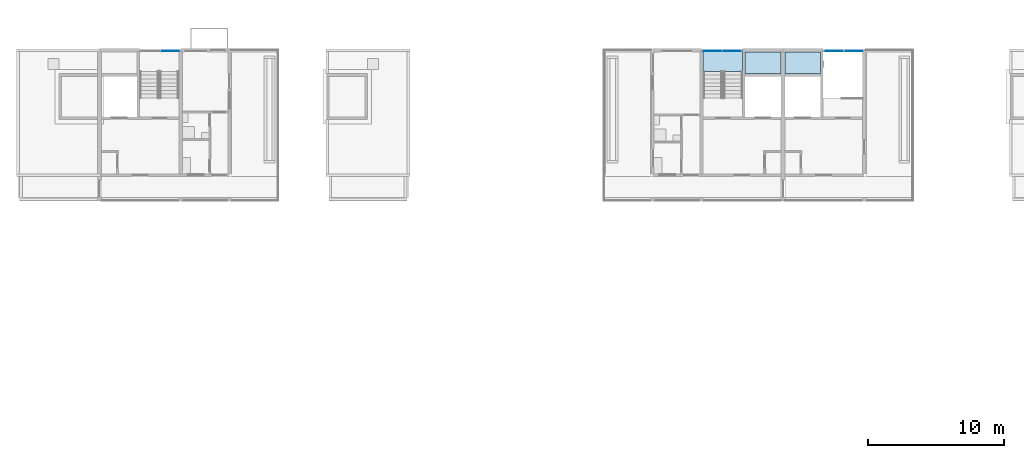
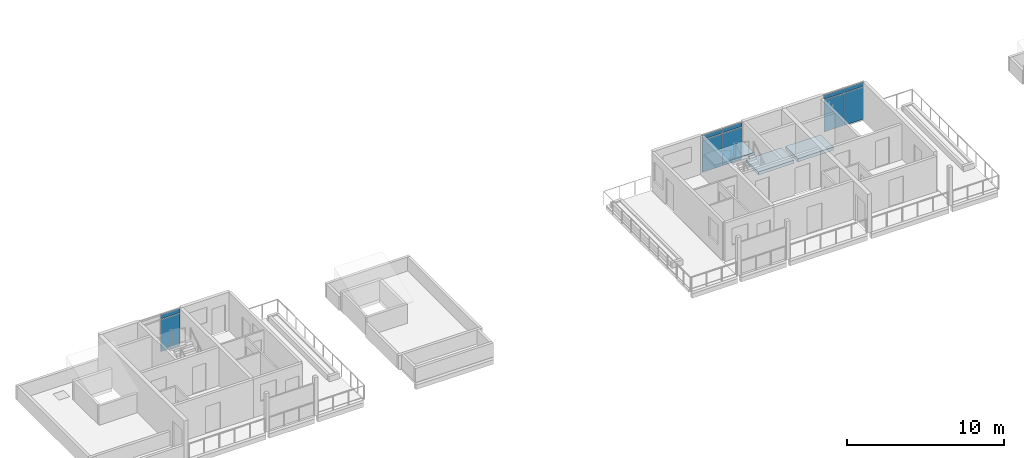
# One storey, part 32 of 87: 10 plates, 3 slabs, 4 elements without a shape of their own.
"""IFC4 building model written with IfcOpenShell, lengths in metres."""

from ifc_helpers import new_model, si_unit, direction, frame, origin, origin_2d, place, context, subcontext, project, spatial, polyline, rectangle, outline, extrude, material, layer, layer_set, type_object, element, aggregate, save


model = new_model("IFC4")

# Units and contexts
model_context = context("Model", 3, precision=1e-05, world=origin(), true_north=direction((0.0, 1.0)))
body_context = subcontext(model_context, "Body", "Model", "MODEL_VIEW")
ifc_project = project(units=[si_unit("LENGTHUNIT", "METRE"), si_unit("AREAUNIT", "SQUARE_METRE"), si_unit("VOLUMEUNIT", "CUBIC_METRE"), si_unit("PLANEANGLEUNIT", "RADIAN"), si_unit("MASSUNIT", "GRAM", prefix="KILO")], contexts=[model_context])

# Site, building, storey
site_placement = place(None, origin())
site = spatial("IfcSite", under=ifc_project, at=site_placement, CompositionType="ELEMENT")
building_placement = place(site_placement, origin())
building = spatial("IfcBuilding", under=site, at=building_placement, Name="Ridgestep Commons", CompositionType="ELEMENT")
storey_placement = place(building_placement, frame((0.0, 0.0, 27.0)))
storey = spatial("IfcBuildingStorey", under=building, at=storey_placement, Name="L09", CompositionType="ELEMENT", Elevation=27.0)

# Curtain wall, plate
ifc_material_1 = material(Name="Aluminium 6063-T6 and glass", Category="aluminium")
curtain_wall_type = type_object("IfcCurtainWallType", Name="Curtain wall stair strip", PredefinedType="NOTDEFINED", material=ifc_material_1)
curtain_wall_1_placement = place(storey_placement, origin())
curtain_wall_1 = element("IfcCurtainWall", 1, at=curtain_wall_1_placement, inside=storey, type_object=curtain_wall_type, Name="Curtain wall B2C level 09", PredefinedType="NOTDEFINED")
ifc_material_2 = material(Name="Glass laminated 6/16/6 low-emissivity", Category="glass")
ifc_layer_1 = layer(ifc_material_2, 0.028076171875)
ifc_layer_set_1 = layer_set([ifc_layer_1], Name="Glazing panel 28")
plate_type_1 = type_object("IfcPlateType", Name="Glazing panel 28", PredefinedType="CURTAIN_PANEL", material=ifc_layer_set_1)
plate_1_placement = place(storey_placement, frame((34.02880859375, 77.080078125, 0.06005859375), z_axis=(0.0, 0.0, 1.0), x_axis=(1.0, 0.0, 0.0)))
plate_1 = element("IfcPlate", 2, at=plate_1_placement, type_object=plate_type_1, Name="CW1 panel 2.1", PredefinedType="CURTAIN_PANEL", context=body_context, shape_type="SweptSolid", body=[
    extrude(rectangle(XDim=1.422607421875, YDim=0.028076171875, at=origin_2d()), origin(), (0.0, 0.0, 1.0), 2.5),
])

# Curtain wall, plates
curtain_wall_2_placement = place(storey_placement, origin())
curtain_wall_2 = element("IfcCurtainWall", 3, at=curtain_wall_2_placement, inside=storey, type_object=curtain_wall_type, Name="Curtain wall B4C level 09", PredefinedType="NOTDEFINED")
plate_2_placement = place(storey_placement, frame((73.97119140625, 77.080078125, 0.06005859375), z_axis=(0.0, 0.0, 1.0), x_axis=(1.0, 0.0, 0.0)))
plate_2 = element("IfcPlate", 4, at=plate_2_placement, type_object=plate_type_1, Name="CW1 panel 1.1", PredefinedType="CURTAIN_PANEL", context=body_context, shape_type="SweptSolid", body=[
    extrude(rectangle(XDim=1.422607421875, YDim=0.028076171875, at=origin_2d()), origin(), (0.0, 0.0, 1.0), 2.5),
])
plate_3_placement = place(storey_placement, frame((75.453857421875, 77.080078125, 0.06005859375), z_axis=(0.0, 0.0, 1.0), x_axis=(1.0, 0.0, 0.0)))
plate_3 = element("IfcPlate", 5, at=plate_3_placement, type_object=plate_type_1, Name="CW1 panel 2.1", PredefinedType="CURTAIN_PANEL", context=body_context, shape_type="SweptSolid", body=[
    extrude(rectangle(XDim=1.422607421875, YDim=0.028076171875, at=origin_2d()), origin(), (0.0, 0.0, 1.0), 2.5),
])

curtain_wall_3_placement = place(storey_placement, origin())
curtain_wall_3 = element("IfcCurtainWall", 6, at=curtain_wall_3_placement, inside=storey, type_object=curtain_wall_type, Name="Curtain wall B5C level 09", PredefinedType="NOTDEFINED")
plate_4_placement = place(storey_placement, frame((82.9462890625, 77.080078125, 0.06005859375), z_axis=(0.0, 0.0, 1.0), x_axis=(1.0, 0.0, 0.0)))
plate_4 = element("IfcPlate", 7, at=plate_4_placement, type_object=plate_type_1, Name="CW1 panel 1.1", PredefinedType="CURTAIN_PANEL", context=body_context, shape_type="SweptSolid", body=[
    extrude(rectangle(XDim=1.422607421875, YDim=0.028076171875, at=origin_2d()), origin(), (0.0, 0.0, 1.0), 2.5),
])
plate_5_placement = place(storey_placement, frame((84.4287109375, 77.080078125, 0.06005859375), z_axis=(0.0, 0.0, 1.0), x_axis=(1.0, 0.0, 0.0)))
plate_5 = element("IfcPlate", 8, at=plate_5_placement, type_object=plate_type_1, Name="CW1 panel 2.1", PredefinedType="CURTAIN_PANEL", context=body_context, shape_type="SweptSolid", body=[
    extrude(rectangle(XDim=1.422607421875, YDim=0.028076171875, at=origin_2d()), origin(), (0.0, 0.0, 1.0), 2.5),
])

# Slabs
ifc_material_3 = material(Name="Precast concrete C50/60", Category="concrete")
ifc_layer_2 = layer(ifc_material_3, 0.25)
ifc_layer_set_2 = layer_set([ifc_layer_2], Name="Hollow-core plank 250")
slab_type_1 = type_object("IfcSlabType", Name="Hollow-core plank 250", PredefinedType="FLOOR", material=ifc_layer_set_2)
slab_1_placement = place(storey_placement, frame((0.0, 0.0, -0.25)))
element("IfcSlab", 9, at=slab_1_placement, inside=storey, type_object=slab_type_1, Name="Floor plank B4C L09", PredefinedType="FLOOR", context=body_context, shape_type="SweptSolid", body=[
    extrude(outline(polyline([(79.050048828125, 75.39990234375), (79.050048828125, 77.0), (76.425048828125, 77.0), (76.425048828125, 75.39990234375), (79.050048828125, 75.39990234375)])), origin(), (0.0, 0.0, 1.0), 0.25),
])
slab_2_placement = place(storey_placement, frame((0.0, 0.0, -0.25)))
element("IfcSlab", 10, at=slab_2_placement, inside=storey, type_object=slab_type_1, Name="Floor plank B5C L09", PredefinedType="FLOOR", context=body_context, shape_type="SweptSolid", body=[
    extrude(outline(polyline([(81.97509765625, 77.0), (79.35009765625, 77.0), (79.35009765625, 75.39990234375), (81.97509765625, 75.39990234375), (81.97509765625, 77.0)])), origin(), (0.0, 0.0, 1.0), 0.25),
])

# Plate
ifc_material_4 = material(Name="Aluminium 6063-T6 and mineral wool", Category="aluminium")
ifc_layer_3 = layer(ifc_material_4, 0.0400390625)
ifc_layer_set_3 = layer_set([ifc_layer_3], Name="Spandrel panel 40")
plate_type_2 = type_object("IfcPlateType", Name="Spandrel panel 40", PredefinedType="CURTAIN_PANEL", material=ifc_layer_set_3)
plate_6_placement = place(storey_placement, frame((34.02880859375, 77.080078125, 2.6201171875), z_axis=(0.0, 0.0, 1.0), x_axis=(1.0, 0.0, 0.0)))
plate_6 = element("IfcPlate", 11, at=plate_6_placement, type_object=plate_type_2, Name="CW1 panel 2.2", PredefinedType="CURTAIN_PANEL", context=body_context, shape_type="SweptSolid", body=[
    extrude(rectangle(XDim=1.422607421875, YDim=0.0400390625, at=origin_2d()), origin(), (0.0, 0.0, 1.0), 0.320068359375),
])

aggregate(curtain_wall_1, [plate_1, plate_6])

plate_7_placement = place(storey_placement, frame((73.97119140625, 77.080078125, 2.6201171875), z_axis=(0.0, 0.0, 1.0), x_axis=(1.0, 0.0, 0.0)))
plate_7 = element("IfcPlate", 12, at=plate_7_placement, type_object=plate_type_2, Name="CW1 panel 1.2", PredefinedType="CURTAIN_PANEL", context=body_context, shape_type="SweptSolid", body=[
    extrude(rectangle(XDim=1.422607421875, YDim=0.0400390625, at=origin_2d()), origin(), (0.0, 0.0, 1.0), 0.320068359375),
])

plate_8_placement = place(storey_placement, frame((75.453857421875, 77.080078125, 2.6201171875), z_axis=(0.0, 0.0, 1.0), x_axis=(1.0, 0.0, 0.0)))
plate_8 = element("IfcPlate", 13, at=plate_8_placement, type_object=plate_type_2, Name="CW1 panel 2.2", PredefinedType="CURTAIN_PANEL", context=body_context, shape_type="SweptSolid", body=[
    extrude(rectangle(XDim=1.422607421875, YDim=0.0400390625, at=origin_2d()), origin(), (0.0, 0.0, 1.0), 0.320068359375),
])

aggregate(curtain_wall_2, [plate_2, plate_7, plate_3, plate_8])

plate_9_placement = place(storey_placement, frame((82.9462890625, 77.080078125, 2.6201171875), z_axis=(0.0, 0.0, 1.0), x_axis=(1.0, 0.0, 0.0)))
plate_9 = element("IfcPlate", 14, at=plate_9_placement, type_object=plate_type_2, Name="CW1 panel 1.2", PredefinedType="CURTAIN_PANEL", context=body_context, shape_type="SweptSolid", body=[
    extrude(rectangle(XDim=1.422607421875, YDim=0.0400390625, at=origin_2d()), origin(), (0.0, 0.0, 1.0), 0.320068359375),
])

plate_10_placement = place(storey_placement, frame((84.4287109375, 77.080078125, 2.6201171875), z_axis=(0.0, 0.0, 1.0), x_axis=(1.0, 0.0, 0.0)))
plate_10 = element("IfcPlate", 15, at=plate_10_placement, type_object=plate_type_2, Name="CW1 panel 2.2", PredefinedType="CURTAIN_PANEL", context=body_context, shape_type="SweptSolid", body=[
    extrude(rectangle(XDim=1.422607421875, YDim=0.0400390625, at=origin_2d()), origin(), (0.0, 0.0, 1.0), 0.320068359375),
])

aggregate(curtain_wall_3, [plate_4, plate_9, plate_5, plate_10])

# Stair, slab
ifc_material_5 = material(Name="Precast concrete C40/50", Category="concrete")
stair_type = type_object("IfcStairType", Name="Escape stair 1400", PredefinedType="HALF_TURN_STAIR", material=ifc_material_5)
stair_placement = place(storey_placement, origin())
stair = element("IfcStair", 16, at=stair_placement, inside=storey, type_object=stair_type, Name="L09 Escape stair B4C", PredefinedType="HALF_TURN_STAIR")
ifc_material_6 = material(Name="Precast concrete C40/50", Category="concrete")
ifc_layer_4 = layer(ifc_material_6, 0.199951171875)
ifc_layer_set_4 = layer_set([ifc_layer_4], Name="Stair landing 200")
slab_type_2 = type_object("IfcSlabType", Name="Stair landing 200", PredefinedType="LANDING", material=ifc_layer_set_4)
slab_3_placement = place(storey_placement, frame((0.0, 0.0, 1.300048828125)))
slab_3 = element("IfcSlab", 17, at=slab_3_placement, type_object=slab_type_2, Name="B4C landing 1", PredefinedType="LANDING", context=body_context, shape_type="SweptSolid", body=[
    extrude(outline(polyline([(76.22509765625, 75.56005859375), (76.22509765625, 77.0), (73.324951171875, 77.0), (73.324951171875, 75.56005859375), (76.22509765625, 75.56005859375)])), origin(), (0.0, 0.0, 1.0), 0.199951171875),
])
aggregate(stair, [slab_3])

save(model, "model.ifc")
